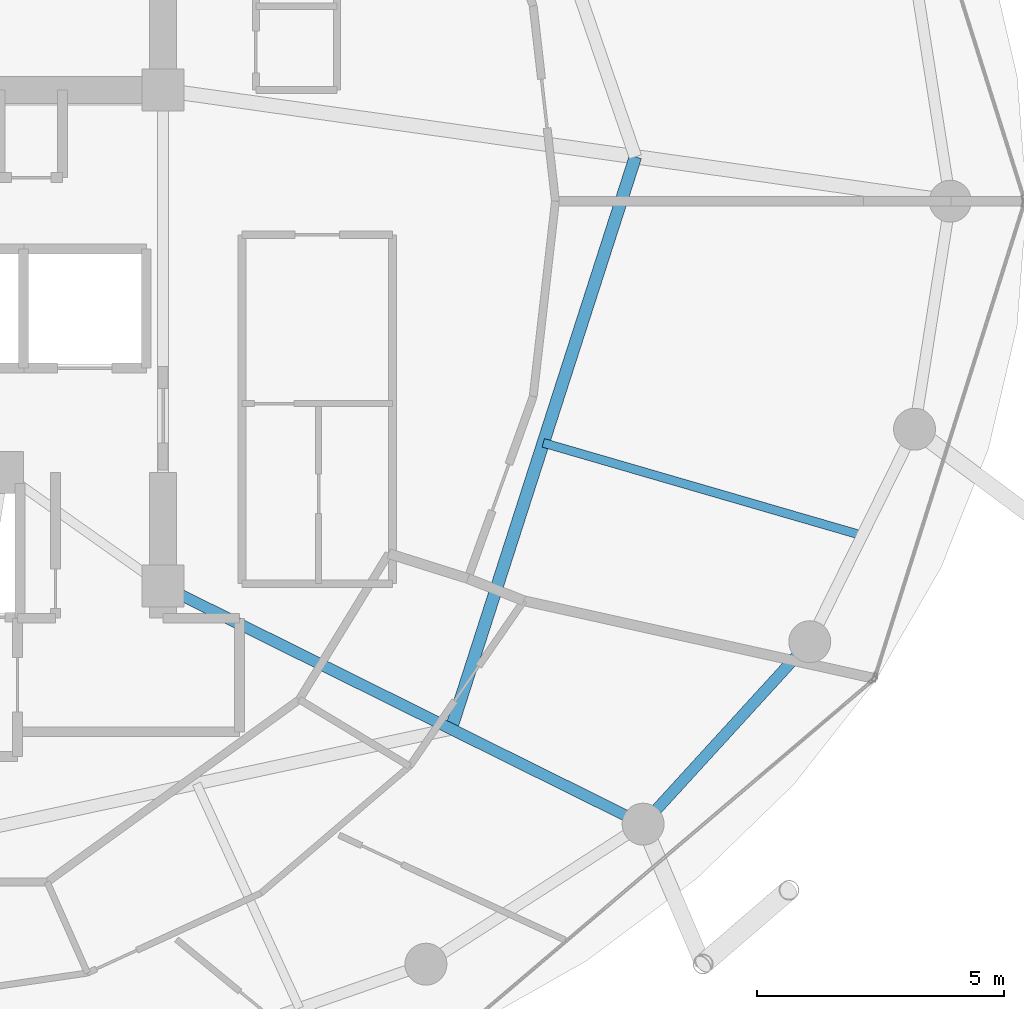
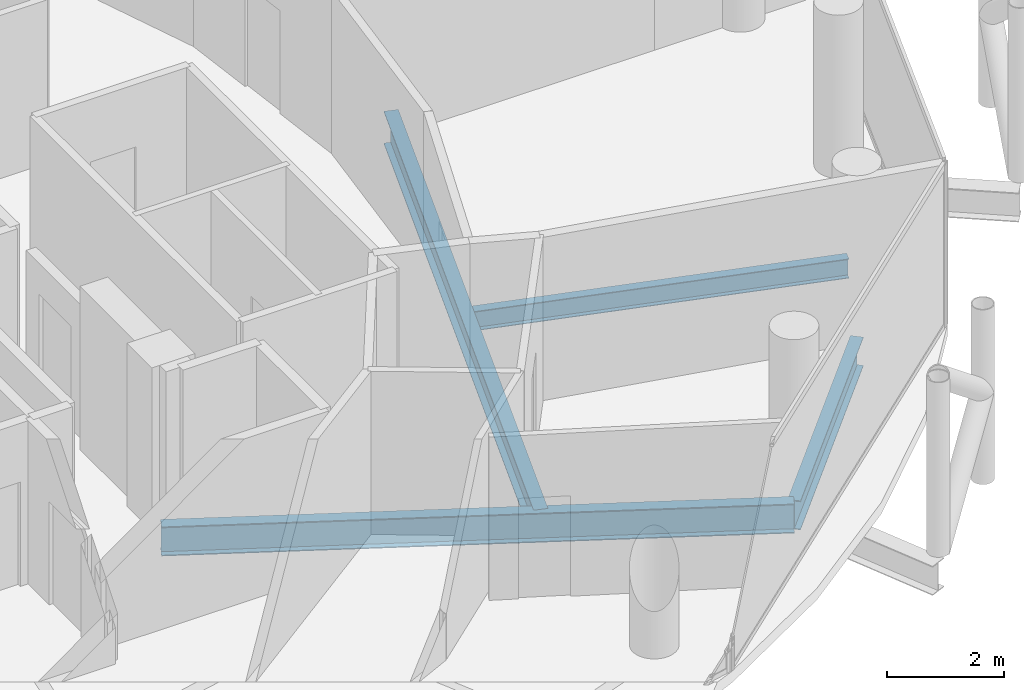
# One storey, part 12 of 27: 4 beams.
"""IFC4 building model written with IfcOpenShell, lengths in metres."""

from ifc_helpers import new_model, si_unit, direction, frame, origin, origin_2d, place, context, subcontext, project, spatial, i_section, extrude, material, material_profile, profile_set, type_object, element, save


model = new_model("IFC4")

# Units and contexts
model_context = context("Model", 3, precision=1e-05, world=origin(), true_north=direction((0.0, 1.0)))
body_context = subcontext(model_context, "Body", "Model", "MODEL_VIEW")
ifc_project = project(units=[si_unit("LENGTHUNIT", "METRE"), si_unit("AREAUNIT", "SQUARE_METRE"), si_unit("VOLUMEUNIT", "CUBIC_METRE"), si_unit("PLANEANGLEUNIT", "RADIAN"), si_unit("MASSUNIT", "GRAM", prefix="KILO")], contexts=[model_context])

# Site, building, storey
site_placement = place(None, origin())
site = spatial("IfcSite", under=ifc_project, at=site_placement, CompositionType="ELEMENT")
building_placement = place(site_placement, origin())
building = spatial("IfcBuilding", under=site, at=building_placement, Name="Nuhasar Tower", CompositionType="ELEMENT")
storey_placement = place(building_placement, frame((0.0, 0.0, 237.35009765625)))
storey = spatial("IfcBuildingStorey", under=building, at=storey_placement, Name="L58", CompositionType="ELEMENT", Elevation=237.35009765625)

# Beams
ifc_material = material(Name="Steel S355", Category="steel")
ifc_material_profile_1 = material_profile(ifc_material, i_section(OverallWidth=0.25390625, OverallDepth=0.68408203125, WebThickness=0.012451171875, FlangeThickness=0.018798828125, at=origin_2d()), Name="W27X94")
ifc_profile_set_1 = profile_set([ifc_material_profile_1], Name="Steel S355")
beam_type_1 = type_object("IfcBeamType", Name="BM-INRING-W27X94", PredefinedType="BEAM", material=ifc_profile_set_1)
beam_1_placement = place(storey_placement, frame((50.135986328125, 16.10693359375, -0.58203125), z_axis=(0.306589852134, 0.951841721385, 0.0), x_axis=(-0.951841721385, 0.306589852134, 0.0)))
element("IfcBeam", 1, at=beam_1_placement, inside=storey, type_object=beam_type_1, Name="L58 Inner Header Beam 03", PredefinedType="BEAM", context=body_context, shape_type="SweptSolid", body=[
    extrude(i_section(OverallWidth=0.25390625, OverallDepth=0.68408203125, WebThickness=0.012451171875, FlangeThickness=0.018798828125, at=origin_2d()), origin(), (0.0, 0.0, 1.0), 12.179443359375),
])
ifc_material_profile_2 = material_profile(ifc_material, i_section(OverallWidth=0.177978515625, OverallDepth=0.406005859375, WebThickness=0.0078125, FlangeThickness=0.0126953125, at=origin_2d()), Name="W16X40")
ifc_profile_set_2 = profile_set([ifc_material_profile_2], Name="Steel S355")
beam_type_2 = type_object("IfcBeamType", Name="BM-JST-W16X40", PredefinedType="JOIST", material=ifc_profile_set_2)
beam_2_placement = place(storey_placement, frame((52.0029296875, 21.904052734375, -0.443115234375), z_axis=(0.960312689798, -0.27892568511, 0.0), x_axis=(0.27892568511, 0.960312689798, 0.0)))
element("IfcBeam", 2, at=beam_2_placement, inside=storey, type_object=beam_type_2, Name="L58 Secondary Floor Joist 03", PredefinedType="JOIST", context=body_context, shape_type="SweptSolid", body=[
    extrude(i_section(OverallWidth=0.177978515625, OverallDepth=0.406005859375, WebThickness=0.0078125, FlangeThickness=0.0126953125, at=origin_2d()), origin(), (0.0, 0.0, 1.0), 6.729248046875),
])
ifc_material_profile_3 = material_profile(ifc_material, i_section(OverallWidth=0.22900390625, OverallDepth=0.612060546875, WebThickness=0.011962890625, FlangeThickness=0.01953125, at=origin_2d()), Name="W24X84")
ifc_profile_set_3 = profile_set([ifc_material_profile_3], Name="Steel S355")
beam_type_3 = type_object("IfcBeamType", Name="BM-RAD-W24X84", PredefinedType="BEAM", material=ifc_profile_set_3)
beam_3_placement = place(storey_placement, frame((44.300048828125, 19.0, -0.546142578125), z_axis=(0.895928935233, -0.444197414459, 0.0), x_axis=(0.444197414459, 0.895928935233, 0.0)))
element("IfcBeam", 3, at=beam_3_placement, inside=storey, type_object=beam_type_3, Name="L58 Radial Floor Girder 03", PredefinedType="BEAM", context=body_context, shape_type="SweptSolid", body=[
    extrude(i_section(OverallWidth=0.22900390625, OverallDepth=0.612060546875, WebThickness=0.011962890625, FlangeThickness=0.01953125, at=origin_2d()), origin(), (0.0, 0.0, 1.0), 10.85546875),
])
ifc_material_profile_4 = material_profile(ifc_material, i_section(OverallWidth=0.22802734375, OverallDepth=0.60791015625, WebThickness=0.01123046875, FlangeThickness=0.017333984375, at=origin_2d()), Name="W24X76")
ifc_profile_set_4 = profile_set([ifc_material_profile_4], Name="Steel S355")
beam_type_4 = type_object("IfcBeamType", Name="BM-RING-W24X76", PredefinedType="SPANDREL", material=ifc_profile_set_4)
beam_4_placement = place(storey_placement, frame((54.02587890625, 14.177978515625, -0.544189453125), z_axis=(0.674449692975, 0.738320805373, 0.0), x_axis=(-0.738320805373, 0.674449692975, 0.0)))
element("IfcBeam", 4, at=beam_4_placement, inside=storey, type_object=beam_type_4, Name="L58 Perimeter Ring Spandrel 22", PredefinedType="SPANDREL", context=body_context, shape_type="SweptSolid", body=[
    extrude(i_section(OverallWidth=0.22802734375, OverallDepth=0.60791015625, WebThickness=0.01123046875, FlangeThickness=0.017333984375, at=origin_2d()), origin(), (0.0, 0.0, 1.0), 5.00732421875),
])

save(model, "model.ifc")
